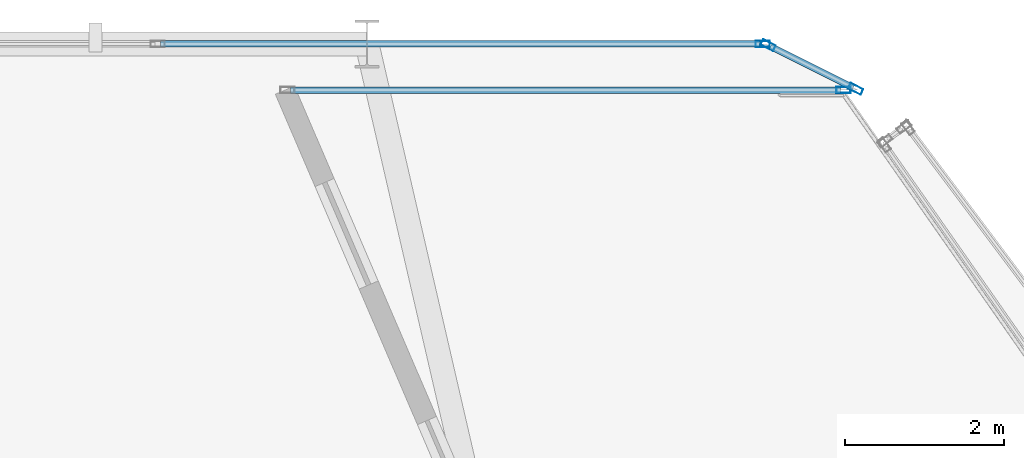
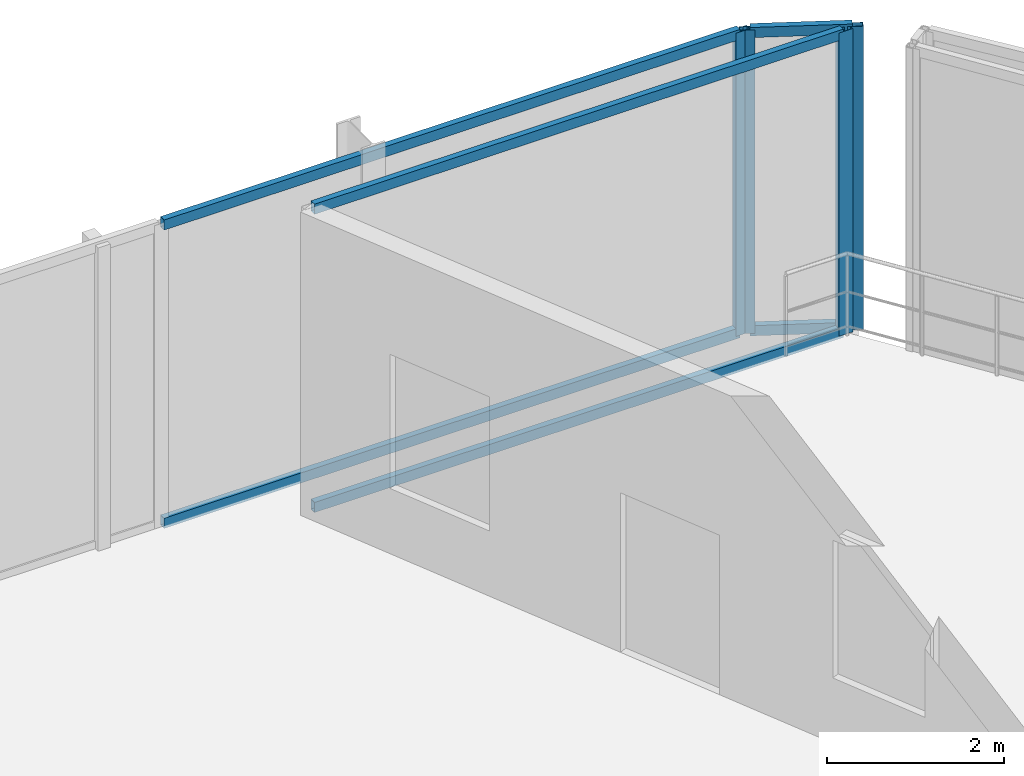
# One storey, part 22 of 31: 10 members, 3 elements without a shape of their own.
"""IFC4 building model written with IfcOpenShell, lengths in metres."""

from ifc_helpers import new_model, si_unit, direction, frame, origin, origin_2d, place, context, subcontext, project, spatial, hollow_rectangle, extrude, material, layer, layer_set, material_profile, profile_set, type_object, element, aggregate, save


model = new_model("IFC4")

# Units and contexts
model_context = context("Model", 3, precision=1e-05, world=origin(), true_north=direction((0.0, 1.0)))
body_context = subcontext(model_context, "Body", "Model", "MODEL_VIEW")
ifc_project = project(units=[si_unit("LENGTHUNIT", "METRE"), si_unit("AREAUNIT", "SQUARE_METRE"), si_unit("VOLUMEUNIT", "CUBIC_METRE"), si_unit("PLANEANGLEUNIT", "RADIAN"), si_unit("MASSUNIT", "GRAM", prefix="KILO")], contexts=[model_context])

# Site, building, storey
site_placement = place(None, origin())
site = spatial("IfcSite", under=ifc_project, at=site_placement, CompositionType="ELEMENT")
building_placement = place(site_placement, origin())
building = spatial("IfcBuilding", under=site, at=building_placement, Name="Keshet Zoharim Tower", CompositionType="ELEMENT")
storey_placement = place(building_placement, frame((0.0, 0.0, 125.300048828125)))
storey = spatial("IfcBuildingStorey", under=building, at=storey_placement, Name="L30", CompositionType="ELEMENT", Elevation=125.300048828125)

# Curtain wall, member
ifc_material = material(Name="Aluminium 6063-T6", Category="aluminium")
ifc_layer = layer(ifc_material, 0.14990234375)
ifc_layer_set = layer_set([ifc_layer], Name="Aluminium 6063-T6")
curtain_wall_type = type_object("IfcCurtainWallType", Name="CW-SYS-04", PredefinedType="NOTDEFINED", material=ifc_layer_set)
curtain_wall_1_placement = place(storey_placement, origin())
curtain_wall_1 = element("IfcCurtainWall", 1, at=curtain_wall_1_placement, inside=storey, type_object=curtain_wall_type, Name="L30 Unitised Curtain Wall 19 Part 5", PredefinedType="NOTDEFINED")
ifc_material_profile_1 = material_profile(ifc_material, hollow_rectangle(XDim=0.080078125, YDim=0.179931640625, WallThickness=0.00439453125, at=origin_2d()), Name="MUL-80x180")
ifc_profile_set_1 = profile_set([ifc_material_profile_1], Name="Aluminium 6063-T6")
member_type_1 = type_object("IfcMemberType", Name="CWM-M18", PredefinedType="MULLION", material=ifc_profile_set_1)
member_1_placement = place(storey_placement, frame((49.965087890625, 53.89990234375, 0.0), z_axis=(0.0, 0.0, 1.0), x_axis=(0.0, 1.0, 0.0)))
member_1 = element("IfcMember", 2, at=member_1_placement, type_object=member_type_1, Name="CW-04 mullion 3", PredefinedType="MULLION", context=body_context, shape_type="SweptSolid", body=[
    extrude(hollow_rectangle(XDim=0.080078125, YDim=0.179931640625, WallThickness=0.00439453125, at=origin_2d()), origin(), (0.0, 0.0, 1.0), 4.18505859375),
])

# Curtain wall, members
curtain_wall_2_placement = place(storey_placement, origin())
curtain_wall_2 = element("IfcCurtainWall", 3, at=curtain_wall_2_placement, inside=storey, type_object=curtain_wall_type, Name="L30 Unitised Curtain Wall 20", PredefinedType="NOTDEFINED")
member_2_placement = place(storey_placement, frame((50.03125, 53.88427734375, 0.0), z_axis=(0.0, 0.0, 1.0), x_axis=(0.447213595499, 0.894427191001, 0.0)))
member_2 = element("IfcMember", 4, at=member_2_placement, type_object=member_type_1, Name="CW-04 mullion 1", PredefinedType="MULLION", context=body_context, shape_type="SweptSolid", body=[
    extrude(hollow_rectangle(XDim=0.080078125, YDim=0.179931640625, WallThickness=0.00439453125, at=origin_2d()), origin(), (0.0, 0.0, 1.0), 4.18505859375),
])
member_3_placement = place(storey_placement, frame((51.128662109375, 53.335693359375, 0.0), z_axis=(0.0, 0.0, 1.0), x_axis=(0.447213595499, 0.894427191001, 0.0)))
member_3 = element("IfcMember", 5, at=member_3_placement, type_object=member_type_1, Name="CW-04 mullion 2", PredefinedType="MULLION", context=body_context, shape_type="SweptSolid", body=[
    extrude(hollow_rectangle(XDim=0.080078125, YDim=0.179931640625, WallThickness=0.00439453125, at=origin_2d()), origin(), (0.0, 0.0, 1.0), 4.18505859375),
])

# Curtain wall, member
curtain_wall_3_placement = place(storey_placement, origin())
curtain_wall_3 = element("IfcCurtainWall", 6, at=curtain_wall_3_placement, inside=storey, type_object=curtain_wall_type, Name="L30 Unitised Curtain Wall 21", PredefinedType="NOTDEFINED")
member_4_placement = place(storey_placement, frame((50.97509765625, 53.320068359375, 0.0), z_axis=(0.0, 0.0, 1.0), x_axis=(0.0, -1.0, 0.0)))
member_4 = element("IfcMember", 7, at=member_4_placement, type_object=member_type_1, Name="CW-04 mullion 1", PredefinedType="MULLION", context=body_context, shape_type="SweptSolid", body=[
    extrude(hollow_rectangle(XDim=0.080078125, YDim=0.179931640625, WallThickness=0.00439453125, at=origin_2d()), origin(), (0.0, 0.0, 1.0), 4.18505859375),
])

# Member
ifc_material_profile_2 = material_profile(ifc_material, hollow_rectangle(XDim=0.080078125, YDim=0.139892578125, WallThickness=0.00390625, at=origin_2d()), Name="TRN-80x140")
ifc_profile_set_2 = profile_set([ifc_material_profile_2], Name="Aluminium 6063-T6")
member_type_2 = type_object("IfcMemberType", Name="CWT-T14", PredefinedType="USERDEFINED", material=ifc_profile_set_2)
member_5_placement = place(storey_placement, frame((42.4111328125, 53.89990234375, 0.034912109375), z_axis=(1.0, 0.0, 0.0), x_axis=(0.0, 1.0, 0.0)))
member_5 = element("IfcMember", 8, at=member_5_placement, type_object=member_type_2, Name="CW-04 transom 2.1", ObjectType="TRANSOM", PredefinedType="USERDEFINED", context=body_context, shape_type="SweptSolid", body=[
    extrude(hollow_rectangle(XDim=0.080078125, YDim=0.139892578125, WallThickness=0.00390625, at=origin_2d()), origin(), (0.0, 0.0, 1.0), 7.518798828125),
])

member_6_placement = place(storey_placement, frame((42.4111328125, 53.89990234375, 4.14990234375), z_axis=(1.0, 0.0, 0.0), x_axis=(0.0, 1.0, 0.0)))
member_6 = element("IfcMember", 9, at=member_6_placement, type_object=member_type_2, Name="CW-04 transom 2.2", ObjectType="TRANSOM", PredefinedType="USERDEFINED", context=body_context, shape_type="SweptSolid", body=[
    extrude(hollow_rectangle(XDim=0.080078125, YDim=0.139892578125, WallThickness=0.00390625, at=origin_2d()), origin(), (0.0, 0.0, 1.0), 7.518798828125),
])

aggregate(curtain_wall_1, [member_1, member_5, member_6])

member_7_placement = place(storey_placement, frame((50.0625, 53.86865234375, 0.034912109375), z_axis=(0.894469388923, -0.447129189698, 0.0), x_axis=(0.447129189698, 0.894469388923, 0.0)))
member_7 = element("IfcMember", 10, at=member_7_placement, type_object=member_type_2, Name="CW-04 transom 1.1", ObjectType="TRANSOM", PredefinedType="USERDEFINED", context=body_context, shape_type="SweptSolid", body=[
    extrude(hollow_rectangle(XDim=0.080078125, YDim=0.139892578125, WallThickness=0.00390625, at=origin_2d()), origin(), (0.0, 0.0, 1.0), 1.156982421875),
])

member_8_placement = place(storey_placement, frame((50.0625, 53.86865234375, 4.14990234375), z_axis=(0.894469388923, -0.447129189698, 0.0), x_axis=(0.447129189698, 0.894469388923, 0.0)))
member_8 = element("IfcMember", 11, at=member_8_placement, type_object=member_type_2, Name="CW-04 transom 1.2", ObjectType="TRANSOM", PredefinedType="USERDEFINED", context=body_context, shape_type="SweptSolid", body=[
    extrude(hollow_rectangle(XDim=0.080078125, YDim=0.139892578125, WallThickness=0.00390625, at=origin_2d()), origin(), (0.0, 0.0, 1.0), 1.156982421875),
])

aggregate(curtain_wall_2, [member_2, member_3, member_7, member_8])

member_9_placement = place(storey_placement, frame((50.93994140625, 53.320068359375, 0.034912109375), z_axis=(-1.0, 0.0, 0.0), x_axis=(0.0, -1.0, 0.0)))
member_9 = element("IfcMember", 12, at=member_9_placement, type_object=member_type_2, Name="CW-04 transom 1.1", ObjectType="TRANSOM", PredefinedType="USERDEFINED", context=body_context, shape_type="SweptSolid", body=[
    extrude(hollow_rectangle(XDim=0.080078125, YDim=0.139892578125, WallThickness=0.00390625, at=origin_2d()), origin(), (0.0, 0.0, 1.0), 6.89990234375),
])

member_10_placement = place(storey_placement, frame((50.93994140625, 53.320068359375, 4.14990234375), z_axis=(-1.0, 0.0, 0.0), x_axis=(0.0, -1.0, 0.0)))
member_10 = element("IfcMember", 13, at=member_10_placement, type_object=member_type_2, Name="CW-04 transom 1.2", ObjectType="TRANSOM", PredefinedType="USERDEFINED", context=body_context, shape_type="SweptSolid", body=[
    extrude(hollow_rectangle(XDim=0.080078125, YDim=0.139892578125, WallThickness=0.00390625, at=origin_2d()), origin(), (0.0, 0.0, 1.0), 6.89990234375),
])

aggregate(curtain_wall_3, [member_4, member_9, member_10])

save(model, "model.ifc")
